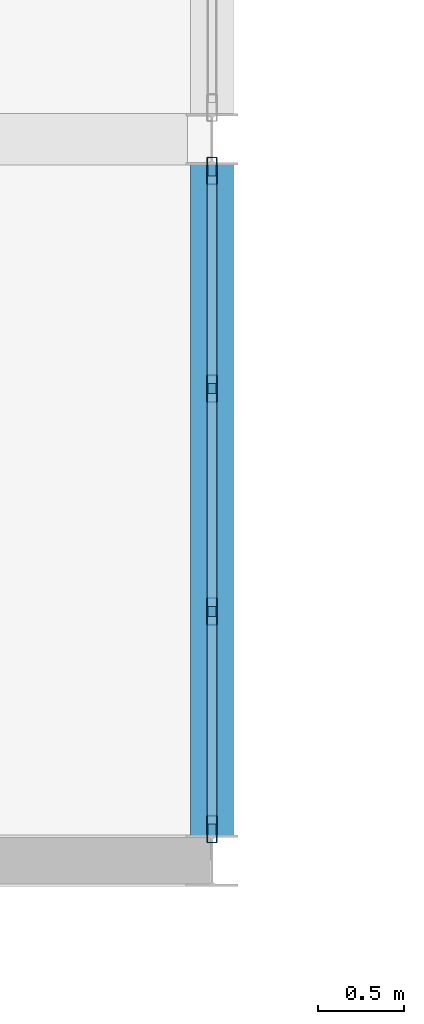
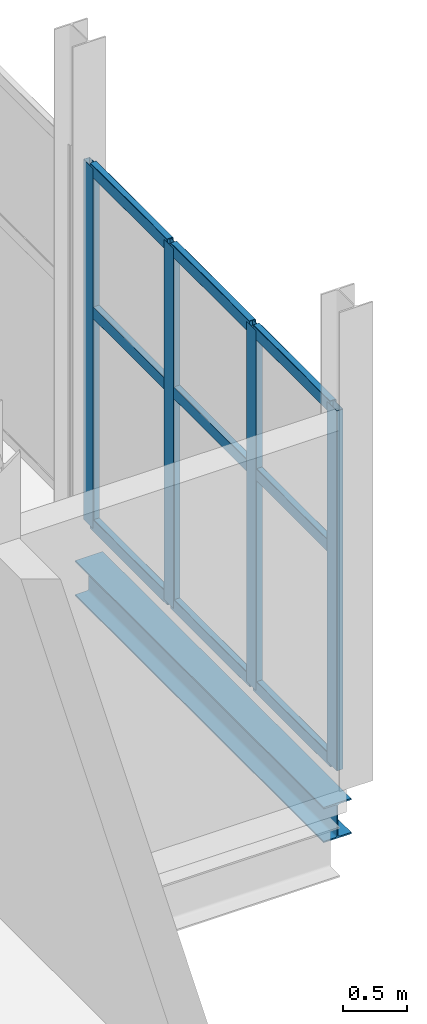
# One storey, part 17 of 136: 13 members, 1 beam, 1 element without a shape of its own.
"""IFC4 building model written with IfcOpenShell, lengths in metres."""

from ifc_helpers import new_model, si_unit, direction, frame, origin, origin_2d, place, context, subcontext, project, spatial, hollow_rectangle, i_section, extrude, material, material_profile, profile_set, type_object, element, aggregate, save


model = new_model("IFC4")

# Units and contexts
model_context = context("Model", 3, precision=1e-05, world=origin(), true_north=direction((0.0, 1.0)))
body_context = subcontext(model_context, "Body", "Model", "MODEL_VIEW")
ifc_project = project(units=[si_unit("LENGTHUNIT", "METRE"), si_unit("AREAUNIT", "SQUARE_METRE"), si_unit("VOLUMEUNIT", "CUBIC_METRE"), si_unit("PLANEANGLEUNIT", "RADIAN"), si_unit("MASSUNIT", "GRAM", prefix="KILO")], contexts=[model_context])

# Site, building, storey
site_placement = place(None, origin())
site = spatial("IfcSite", under=ifc_project, at=site_placement, CompositionType="ELEMENT")
building_placement = place(site_placement, origin())
building = spatial("IfcBuilding", under=site, at=building_placement, Name="Shengluoqiao Park Theatre", CompositionType="ELEMENT")
storey_placement = place(building_placement, frame((0.0, 0.0, 10.0)))
storey = spatial("IfcBuildingStorey", under=building, at=storey_placement, Name="L02", CompositionType="ELEMENT", Elevation=10.0)

# Curtain wall, members
ifc_material_1 = material(Name="Aluminium 6063-T6", Category="aluminium")
curtain_wall_type = type_object("IfcCurtainWallType", Name="ENV-CW-COURT", PredefinedType="NOTDEFINED", material=ifc_material_1)
curtain_wall_placement = place(storey_placement, origin())
curtain_wall = element("IfcCurtainWall", 1, at=curtain_wall_placement, inside=storey, type_object=curtain_wall_type, Name="L02 Curtain Wall CWX-L02-0161", PredefinedType="NOTDEFINED")
ifc_material_profile_1 = material_profile(ifc_material_1, hollow_rectangle(XDim=0.06005859375, YDim=0.159912109375, WallThickness=0.00390625, InnerFilletRadius=0.00390625, OuterFilletRadius=0.008056640625, at=origin_2d()), Name="ALU MULLION 160x60x4")
ifc_profile_set_1 = profile_set([ifc_material_profile_1], Name="Aluminium 6063-T6")
member_type_1 = type_object("IfcMemberType", Name="ENV-MUL-160", PredefinedType="MULLION", material=ifc_profile_set_1)
member_1_placement = place(storey_placement, frame((44.39990234375, 3.583984375, 0.0), z_axis=(0.0, 0.0, 1.0), x_axis=(-1.0, 0.0, 0.0)))
member_1 = element("IfcMember", 2, at=member_1_placement, type_object=member_type_1, Name="CW-05 mullion 1", PredefinedType="MULLION", context=body_context, shape_type="SweptSolid", body=[
    extrude(hollow_rectangle(XDim=0.06005859375, YDim=0.159912109375, WallThickness=0.00390625, InnerFilletRadius=0.00390625, OuterFilletRadius=0.008056640625, at=origin_2d()), origin(), (0.0, 0.0, 1.0), 3.4580078125),
])
member_2_placement = place(storey_placement, frame((44.39990234375, 4.851318359375, 0.0), z_axis=(0.0, 0.0, 1.0), x_axis=(-1.0, 0.0, 0.0)))
member_2 = element("IfcMember", 3, at=member_2_placement, type_object=member_type_1, Name="CW-05 mullion 2", PredefinedType="MULLION", context=body_context, shape_type="SweptSolid", body=[
    extrude(hollow_rectangle(XDim=0.06005859375, YDim=0.159912109375, WallThickness=0.00390625, InnerFilletRadius=0.00390625, OuterFilletRadius=0.008056640625, at=origin_2d()), origin(), (0.0, 0.0, 1.0), 3.4580078125),
])
member_3_placement = place(storey_placement, frame((44.39990234375, 6.148681640625, 0.0), z_axis=(0.0, 0.0, 1.0), x_axis=(-1.0, 0.0, 0.0)))
member_3 = element("IfcMember", 4, at=member_3_placement, type_object=member_type_1, Name="CW-05 mullion 3", PredefinedType="MULLION", context=body_context, shape_type="SweptSolid", body=[
    extrude(hollow_rectangle(XDim=0.06005859375, YDim=0.159912109375, WallThickness=0.00390625, InnerFilletRadius=0.00390625, OuterFilletRadius=0.008056640625, at=origin_2d()), origin(), (0.0, 0.0, 1.0), 3.4580078125),
])
member_4_placement = place(storey_placement, frame((44.39990234375, 7.416015625, 0.0), z_axis=(0.0, 0.0, 1.0), x_axis=(-1.0, 0.0, 0.0)))
member_4 = element("IfcMember", 5, at=member_4_placement, type_object=member_type_1, Name="CW-05 mullion 4", PredefinedType="MULLION", context=body_context, shape_type="SweptSolid", body=[
    extrude(hollow_rectangle(XDim=0.06005859375, YDim=0.159912109375, WallThickness=0.00390625, InnerFilletRadius=0.00390625, OuterFilletRadius=0.008056640625, at=origin_2d()), origin(), (0.0, 0.0, 1.0), 3.4580078125),
])
ifc_material_profile_2 = material_profile(ifc_material_1, hollow_rectangle(XDim=0.06005859375, YDim=0.1201171875, WallThickness=0.00390625, InnerFilletRadius=0.00390625, OuterFilletRadius=0.008056640625, at=origin_2d()), Name="ALU TRANSOM 120x60x4")
ifc_profile_set_2 = profile_set([ifc_material_profile_2], Name="Aluminium 6063-T6")
member_type_2 = type_object("IfcMemberType", Name="ENV-TRN-120", PredefinedType="USERDEFINED", material=ifc_profile_set_2)
member_5_placement = place(storey_placement, frame((44.39990234375, 3.614013671875, 0.030029296875), z_axis=(0.0, 1.0, 0.0), x_axis=(-1.0, 0.0, 0.0)))
member_5 = element("IfcMember", 6, at=member_5_placement, type_object=member_type_2, Name="CW-05 transom 1.1", ObjectType="TRANSOM", PredefinedType="USERDEFINED", context=body_context, shape_type="SweptSolid", body=[
    extrude(hollow_rectangle(XDim=0.06005859375, YDim=0.1201171875, WallThickness=0.00390625, InnerFilletRadius=0.00390625, OuterFilletRadius=0.008056640625, at=origin_2d()), origin(), (0.0, 0.0, 1.0), 1.207275390625),
])
member_6_placement = place(storey_placement, frame((44.39990234375, 3.614013671875, 2.074951171875), z_axis=(0.0, 1.0, 0.0), x_axis=(-1.0, 0.0, 0.0)))
member_6 = element("IfcMember", 7, at=member_6_placement, type_object=member_type_2, Name="CW-05 transom 1.2", ObjectType="TRANSOM", PredefinedType="USERDEFINED", context=body_context, shape_type="SweptSolid", body=[
    extrude(hollow_rectangle(XDim=0.06005859375, YDim=0.1201171875, WallThickness=0.00390625, InnerFilletRadius=0.00390625, OuterFilletRadius=0.008056640625, at=origin_2d()), origin(), (0.0, 0.0, 1.0), 1.207275390625),
])
member_7_placement = place(storey_placement, frame((44.39990234375, 3.614013671875, 3.427978515625), z_axis=(0.0, 1.0, 0.0), x_axis=(-1.0, 0.0, 0.0)))
member_7 = element("IfcMember", 8, at=member_7_placement, type_object=member_type_2, Name="CW-05 transom 1.3", ObjectType="TRANSOM", PredefinedType="USERDEFINED", context=body_context, shape_type="SweptSolid", body=[
    extrude(hollow_rectangle(XDim=0.06005859375, YDim=0.1201171875, WallThickness=0.00390625, InnerFilletRadius=0.00390625, OuterFilletRadius=0.008056640625, at=origin_2d()), origin(), (0.0, 0.0, 1.0), 1.207275390625),
])
member_8_placement = place(storey_placement, frame((44.39990234375, 4.88134765625, 0.030029296875), z_axis=(0.0, 1.0, 0.0), x_axis=(-1.0, 0.0, 0.0)))
member_8 = element("IfcMember", 9, at=member_8_placement, type_object=member_type_2, Name="CW-05 transom 2.1", ObjectType="TRANSOM", PredefinedType="USERDEFINED", context=body_context, shape_type="SweptSolid", body=[
    extrude(hollow_rectangle(XDim=0.06005859375, YDim=0.1201171875, WallThickness=0.00390625, InnerFilletRadius=0.00390625, OuterFilletRadius=0.008056640625, at=origin_2d()), origin(), (0.0, 0.0, 1.0), 1.2373046875),
])
member_9_placement = place(storey_placement, frame((44.39990234375, 4.88134765625, 2.074951171875), z_axis=(0.0, 1.0, 0.0), x_axis=(-1.0, 0.0, 0.0)))
member_9 = element("IfcMember", 10, at=member_9_placement, type_object=member_type_2, Name="CW-05 transom 2.2", ObjectType="TRANSOM", PredefinedType="USERDEFINED", context=body_context, shape_type="SweptSolid", body=[
    extrude(hollow_rectangle(XDim=0.06005859375, YDim=0.1201171875, WallThickness=0.00390625, InnerFilletRadius=0.00390625, OuterFilletRadius=0.008056640625, at=origin_2d()), origin(), (0.0, 0.0, 1.0), 1.2373046875),
])
member_10_placement = place(storey_placement, frame((44.39990234375, 4.88134765625, 3.427978515625), z_axis=(0.0, 1.0, 0.0), x_axis=(-1.0, 0.0, 0.0)))
member_10 = element("IfcMember", 11, at=member_10_placement, type_object=member_type_2, Name="CW-05 transom 2.3", ObjectType="TRANSOM", PredefinedType="USERDEFINED", context=body_context, shape_type="SweptSolid", body=[
    extrude(hollow_rectangle(XDim=0.06005859375, YDim=0.1201171875, WallThickness=0.00390625, InnerFilletRadius=0.00390625, OuterFilletRadius=0.008056640625, at=origin_2d()), origin(), (0.0, 0.0, 1.0), 1.2373046875),
])
member_11_placement = place(storey_placement, frame((44.39990234375, 6.1787109375, 0.030029296875), z_axis=(0.0, 1.0, 0.0), x_axis=(-1.0, 0.0, 0.0)))
member_11 = element("IfcMember", 12, at=member_11_placement, type_object=member_type_2, Name="CW-05 transom 3.1", ObjectType="TRANSOM", PredefinedType="USERDEFINED", context=body_context, shape_type="SweptSolid", body=[
    extrude(hollow_rectangle(XDim=0.06005859375, YDim=0.1201171875, WallThickness=0.00390625, InnerFilletRadius=0.00390625, OuterFilletRadius=0.008056640625, at=origin_2d()), origin(), (0.0, 0.0, 1.0), 1.207275390625),
])
member_12_placement = place(storey_placement, frame((44.39990234375, 6.1787109375, 2.074951171875), z_axis=(0.0, 1.0, 0.0), x_axis=(-1.0, 0.0, 0.0)))
member_12 = element("IfcMember", 13, at=member_12_placement, type_object=member_type_2, Name="CW-05 transom 3.2", ObjectType="TRANSOM", PredefinedType="USERDEFINED", context=body_context, shape_type="SweptSolid", body=[
    extrude(hollow_rectangle(XDim=0.06005859375, YDim=0.1201171875, WallThickness=0.00390625, InnerFilletRadius=0.00390625, OuterFilletRadius=0.008056640625, at=origin_2d()), origin(), (0.0, 0.0, 1.0), 1.207275390625),
])
member_13_placement = place(storey_placement, frame((44.39990234375, 6.1787109375, 3.427978515625), z_axis=(0.0, 1.0, 0.0), x_axis=(-1.0, 0.0, 0.0)))
member_13 = element("IfcMember", 14, at=member_13_placement, type_object=member_type_2, Name="CW-05 transom 3.3", ObjectType="TRANSOM", PredefinedType="USERDEFINED", context=body_context, shape_type="SweptSolid", body=[
    extrude(hollow_rectangle(XDim=0.06005859375, YDim=0.1201171875, WallThickness=0.00390625, InnerFilletRadius=0.00390625, OuterFilletRadius=0.008056640625, at=origin_2d()), origin(), (0.0, 0.0, 1.0), 1.207275390625),
])
aggregate(curtain_wall, [member_1, member_2, member_3, member_4, member_5, member_6, member_7, member_8, member_9, member_10, member_11, member_12, member_13])

# Beam
ifc_material_2 = material(Name="Steel Q355", Category="steel")
ifc_material_profile_3 = material_profile(ifc_material_2, i_section(OverallWidth=0.25, OverallDepth=0.340087890625, WebThickness=0.009033203125, FlangeThickness=0.013916015625, FilletRadius=0.01611328125, at=origin_2d()), Name="HM 340x250x9x14")
ifc_profile_set_3 = profile_set([ifc_material_profile_3], Name="Steel Q355")
beam_type = type_object("IfcBeamType", Name="STR-BM-G-HM340", PredefinedType="BEAM", material=ifc_profile_set_3)
beam_placement = place(storey_placement, frame((44.39990234375, 3.5439453125, -0.510009765625), z_axis=(0.0, 1.0, 0.0), x_axis=(-1.0, 0.0, 0.0)))
element("IfcBeam", 15, at=beam_placement, inside=storey, type_object=beam_type, Name="L02 Transverse Girder 00913", PredefinedType="BEAM", context=body_context, shape_type="SweptSolid", body=[
    extrude(i_section(OverallWidth=0.25, OverallDepth=0.340087890625, WebThickness=0.009033203125, FlangeThickness=0.013916015625, FilletRadius=0.01611328125, at=origin_2d()), origin(), (0.0, 0.0, 1.0), 3.912109375),
])

save(model, "model.ifc")
